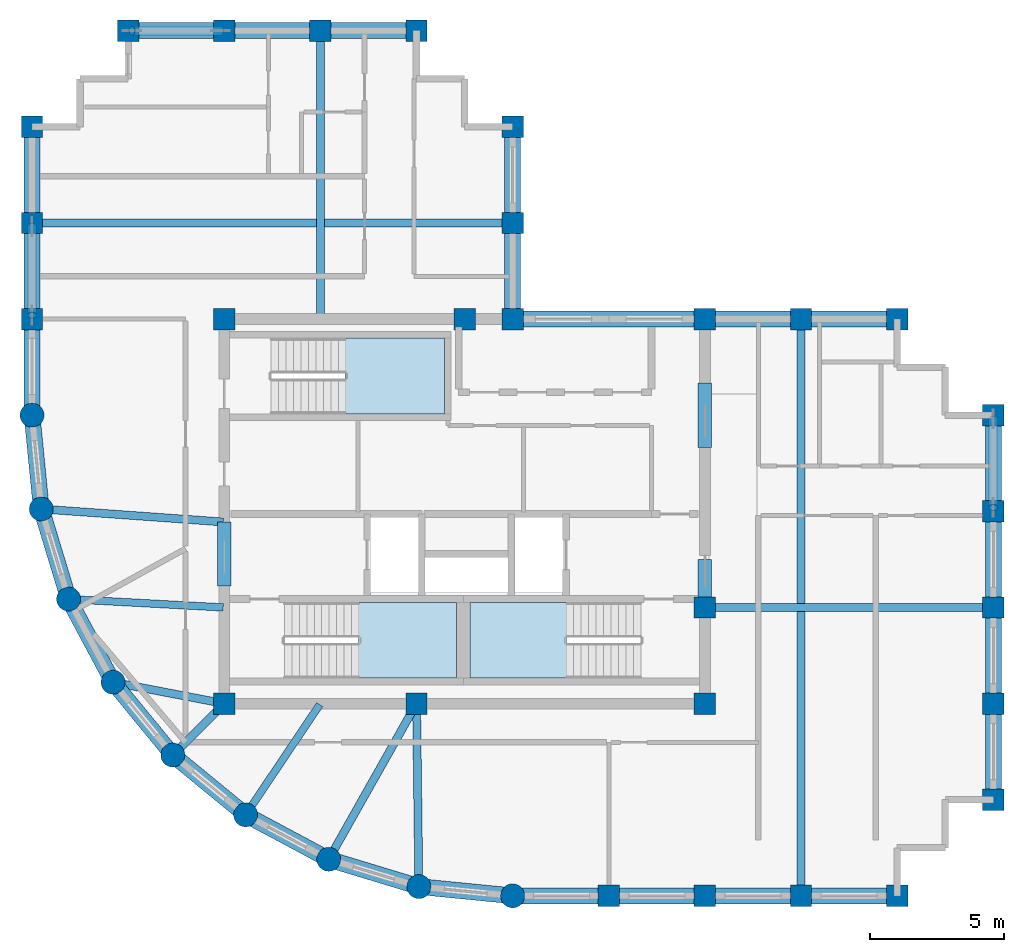
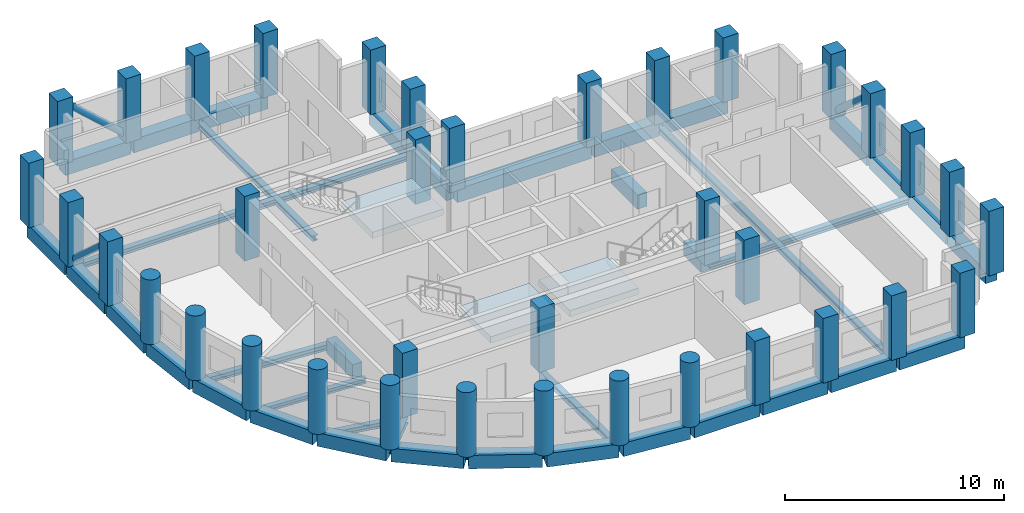
# One storey, part 1 of 6: 41 beams, 37 columns, 3 members, 3 slabs, 3 elements without a shape of their own.
"""IFC4 building model written with IfcOpenShell, lengths in metres."""

from ifc_helpers import new_model, si_unit, direction, frame, origin, origin_2d, place, context, subcontext, project, spatial, polyline, rectangle, circle, hollow_circle, i_section, outline, extrude, material, layer, layer_set, material_profile, profile_set, type_object, element, aggregate, save


model = new_model("IFC4")

# Units and contexts
model_context = context("Model", 3, precision=1e-05, world=origin(), true_north=direction((0.0, 1.0)))
body_context = subcontext(model_context, "Body", "Model", "MODEL_VIEW")
ifc_project = project(units=[si_unit("LENGTHUNIT", "METRE"), si_unit("AREAUNIT", "SQUARE_METRE"), si_unit("VOLUMEUNIT", "CUBIC_METRE"), si_unit("PLANEANGLEUNIT", "RADIAN"), si_unit("MASSUNIT", "GRAM", prefix="KILO")], contexts=[model_context])

# Site, building, storey
site_placement = place(None, origin())
site = spatial("IfcSite", under=ifc_project, at=site_placement, CompositionType="ELEMENT")
building_placement = place(site_placement, origin())
building = spatial("IfcBuilding", under=site, at=building_placement, Name="Solnavia Interchange Tower", CompositionType="ELEMENT")
storey_placement = place(building_placement, frame((0.0, 0.0, 277.39990234375)))
storey = spatial("IfcBuildingStorey", under=building, at=storey_placement, Name="L70", CompositionType="ELEMENT", Elevation=277.39990234375)

# Columns
ifc_material_1 = material(Name="Concrete C50/60", Category="concrete")
ifc_material_profile_1 = material_profile(ifc_material_1, rectangle(XDim=0.800048828125, YDim=0.800048828125, at=origin_2d()), Name="RC 800x800")
ifc_profile_set_1 = profile_set([ifc_material_profile_1], Name="Concrete C50/60")
column_type_1 = type_object("IfcColumnType", Name="Col-RC-800x800", PredefinedType="COLUMN", material=ifc_profile_set_1)
for number, where, z_axis, x_axis, name in (
    (1, (7.199951171875, 25.199951171875, 0.0), (0.0, 0.0, 1.0), (0.0, 1.0, 0.0), "COL-L70-02 Tower perim y column"),
    (2, (7.199951171875, 28.800048828125, 0.0), (0.0, 0.0, 1.0), (0.0, 1.0, 0.0), "COL-L70-03 Tower perim y column"),
    (3, (7.199951171875, 32.39990234375, 0.0), (0.0, 0.0, 1.0), (0.0, 1.0, 0.0), "COL-L70-04 Tower corner column"),
    (4, (10.800048828125, 36.0, 0.0), (0.0, 0.0, 1.0), (1.0, 0.0, 0.0), "COL-L70-08 Tower corner column"),
    (5, (14.39990234375, 10.800048828125, 0.0), (0.0, 0.0, 1.0), (1.0, 0.0, 0.0), "COL-L70-10 Tower interior column"),
    (6, (14.39990234375, 25.199951171875, 0.0), (0.0, 0.0, 1.0), (1.0, 0.0, 0.0), "COL-L70-11 Tower interior column"),
    (7, (14.39990234375, 36.0, 0.0), (0.0, 0.0, 1.0), (1.0, 0.0, 0.0), "COL-L70-12 Tower perim x column"),
    (8, (18.0, 36.0, 0.0), (0.0, 0.0, 1.0), (1.0, 0.0, 0.0), "COL-L70-14 Tower perim x column"),
    (9, (21.60009765625, 10.800048828125, 0.0), (0.0, 0.0, 1.0), (1.0, 0.0, 0.0), "COL-L70-16 Tower interior column"),
    (10, (21.60009765625, 36.0, 0.0), (0.0, 0.0, 1.0), (1.0, 0.0, 0.0), "COL-L70-17 Tower corner column"),
    (11, (23.39990234375, 25.199951171875, 0.0), (0.0, 0.0, 1.0), (1.0, 0.0, 0.0), "COL-L70-19 Tower interior column"),
    (12, (25.199951171875, 25.199951171875, 0.0), (0.0, 0.0, 1.0), (1.0, 0.0, 0.0), "COL-L70-21 Tower interior column"),
    (13, (25.199951171875, 28.800048828125, 0.0), (0.0, 0.0, 1.0), (0.0, 1.0, 0.0), "COL-L70-22 Tower perim y column"),
    (14, (25.199951171875, 32.39990234375, 0.0), (0.0, 0.0, 1.0), (0.0, 1.0, 0.0), "COL-L70-23 Tower corner column"),
    (15, (28.800048828125, 3.60009765625, 0.0), (0.0, 0.0, 1.0), (1.0, 0.0, 0.0), "COL-L70-24 Tower perim x column"),
    (16, (32.39990234375, 3.60009765625, 0.0), (0.0, 0.0, 1.0), (1.0, 0.0, 0.0), "COL-L70-25 Tower perim x column"),
    (17, (32.39990234375, 10.800048828125, 0.0), (0.0, 0.0, 1.0), (1.0, 0.0, 0.0), "COL-L70-26 Tower interior column"),
    (18, (32.39990234375, 14.39990234375, 0.0), (0.0, 0.0, 1.0), (1.0, 0.0, 0.0), "COL-L70-27 Tower interior column"),
    (19, (32.39990234375, 25.199951171875, 0.0), (0.0, 0.0, 1.0), (1.0, 0.0, 0.0), "COL-L70-28 Tower interior column"),
    (20, (36.0, 3.60009765625, 0.0), (0.0, 0.0, 1.0), (1.0, 0.0, 0.0), "COL-L70-29 Tower perim x column"),
    (21, (36.0, 25.199951171875, 0.0), (0.0, 0.0, 1.0), (1.0, 0.0, 0.0), "COL-L70-30 Tower perim x column"),
    (22, (39.60009765625, 3.60009765625, 0.0), (0.0, 0.0, 1.0), (1.0, 0.0, 0.0), "COL-L70-31 Tower corner column"),
    (23, (39.60009765625, 25.199951171875, 0.0), (0.0, 0.0, 1.0), (1.0, 0.0, 0.0), "COL-L70-32 Tower corner column"),
    (24, (43.199951171875, 7.199951171875, 0.0), (0.0, 0.0, 1.0), (1.0, 0.0, 0.0), "COL-L70-33 Tower corner column"),
    (25, (43.199951171875, 10.800048828125, 0.0), (0.0, 0.0, 1.0), (0.0, 1.0, 0.0), "COL-L70-34 Tower perim y column"),
    (26, (43.199951171875, 14.39990234375, 0.0), (0.0, 0.0, 1.0), (0.0, 1.0, 0.0), "COL-L70-35 Tower perim y column"),
    (27, (43.199951171875, 18.0, 0.0), (0.0, 0.0, 1.0), (0.0, 1.0, 0.0), "COL-L70-36 Tower perim y column"),
    (28, (43.199951171875, 21.60009765625, 0.0), (0.0, 0.0, 1.0), (0.0, 1.0, 0.0), "COL-L70-37 Tower corner column"),
):
    element("IfcColumn", number, at=place(storey_placement, frame(where, z_axis=z_axis, x_axis=x_axis)), inside=storey, type_object=column_type_1, Name=name, PredefinedType="COLUMN", context=body_context, shape_type="SweptSolid", body=[
        extrude(rectangle(XDim=0.800048828125, YDim=0.800048828125, at=origin_2d()), origin(), (0.0, 0.0, 1.0), 3.60009765625),
    ])
ifc_material_profile_2 = material_profile(ifc_material_1, circle(Radius=0.449951171875, at=origin_2d()), Name="RC D900")
ifc_profile_set_2 = profile_set([ifc_material_profile_2], Name="Concrete C50/60")
column_type_2 = type_object("IfcColumnType", Name="Col-RC-D900", PredefinedType="COLUMN", material=ifc_profile_set_2)
for number, where, z_axis, x_axis, name in (
    (29, (7.199951171875, 21.60009765625, 0.0), (0.0, 0.0, 1.0), (1.0, 0.0, 0.0), "COL-L70-01 Tower drum column"),
    (30, (7.5458984375, 18.087890625, 0.0), (0.0, 0.0, 1.0), (1.0, 0.0, 0.0), "COL-L70-05 Tower drum column"),
    (31, (8.570068359375, 14.7119140625, 0.0), (0.0, 0.0, 1.0), (1.0, 0.0, 0.0), "COL-L70-06 Tower drum column"),
    (32, (10.23388671875, 11.60009765625, 0.0), (0.0, 0.0, 1.0), (1.0, 0.0, 0.0), "COL-L70-07 Tower drum column"),
    (33, (12.471923828125, 8.8720703125, 0.0), (0.0, 0.0, 1.0), (1.0, 0.0, 0.0), "COL-L70-09 Tower drum column"),
    (34, (15.199951171875, 6.634033203125, 0.0), (0.0, 0.0, 1.0), (1.0, 0.0, 0.0), "COL-L70-13 Tower drum column"),
    (35, (18.31201171875, 4.969970703125, 0.0), (0.0, 0.0, 1.0), (1.0, 0.0, 0.0), "COL-L70-15 Tower drum column"),
    (36, (21.68798828125, 3.946044921875, 0.0), (0.0, 0.0, 1.0), (1.0, 0.0, 0.0), "COL-L70-18 Tower drum column"),
    (37, (25.199951171875, 3.60009765625, 0.0), (0.0, 0.0, 1.0), (1.0, 0.0, 0.0), "COL-L70-20 Tower drum column"),
):
    element("IfcColumn", number, at=place(storey_placement, frame(where, z_axis=z_axis, x_axis=x_axis)), inside=storey, type_object=column_type_2, Name=name, PredefinedType="COLUMN", context=body_context, shape_type="SweptSolid", body=[
        extrude(circle(Radius=0.449951171875, at=origin_2d()), origin(), (0.0, 0.0, 1.0), 3.60009765625),
    ])

# Beams
ifc_material_profile_3 = material_profile(ifc_material_1, rectangle(XDim=0.5, YDim=0.800048828125, at=origin_2d()), Name="RC 500x800")
ifc_profile_set_3 = profile_set([ifc_material_profile_3], Name="Concrete C50/60")
beam_type_1 = type_object("IfcBeamType", Name="Beam-Coupling-RC500x800", PredefinedType="LINTEL", material=ifc_profile_set_3)
beam_1_placement = place(storey_placement, frame((14.39990234375, 15.199951171875, -0.39990234375), z_axis=(0.0, 1.0, 0.0), x_axis=(-1.0, 0.0, 0.0)))
element("IfcBeam", 38, at=beam_1_placement, inside=storey, type_object=beam_type_1, Name="CPB-L70-W1 Core coupling lintel beam", PredefinedType="LINTEL", context=body_context, shape_type="SweptSolid", body=[
    extrude(rectangle(XDim=0.5, YDim=0.800048828125, at=origin_2d()), origin(), (0.0, 0.0, 1.0), 2.400146484375),
])
beam_2_placement = place(storey_placement, frame((32.39990234375, 14.60009765625, -0.39990234375), z_axis=(0.0, 1.0, 0.0), x_axis=(-1.0, 0.0, 0.0)))
element("IfcBeam", 39, at=beam_2_placement, inside=storey, type_object=beam_type_1, Name="CPB-L70-E1 Core coupling lintel beam", PredefinedType="LINTEL", context=body_context, shape_type="SweptSolid", body=[
    extrude(rectangle(XDim=0.5, YDim=0.800048828125, at=origin_2d()), origin(), (0.0, 0.0, 1.0), 1.599853515625),
])
beam_3_placement = place(storey_placement, frame((32.39990234375, 20.39990234375, -0.39990234375), z_axis=(0.0, 1.0, 0.0), x_axis=(-1.0, 0.0, 0.0)))
element("IfcBeam", 40, at=beam_3_placement, inside=storey, type_object=beam_type_1, Name="CPB-L70-E2 Core coupling lintel beam", PredefinedType="LINTEL", context=body_context, shape_type="SweptSolid", body=[
    extrude(rectangle(XDim=0.5, YDim=0.800048828125, at=origin_2d()), origin(), (0.0, 0.0, 1.0), 2.400146484375),
])
ifc_material_2 = material(Name="Steel S460", Category="steel")
ifc_material_profile_4 = material_profile(ifc_material_2, i_section(OverallWidth=0.300048828125, OverallDepth=0.300048828125, WebThickness=0.010986328125, FlangeThickness=0.01904296875, FilletRadius=0.027099609375, at=origin_2d()), Name="HEB 300")
ifc_profile_set_4 = profile_set([ifc_material_profile_4], Name="Steel S460")
beam_type_2 = type_object("IfcBeamType", Name="Beam-Girder-HEB300", PredefinedType="BEAM", material=ifc_profile_set_4)
beam_4_placement = place(storey_placement, frame((32.47998046875, 14.39990234375, -0.39990234375), z_axis=(1.0, 0.0, 0.0), x_axis=(0.0, 1.0, 0.0)))
element("IfcBeam", 41, at=beam_4_placement, inside=storey, type_object=beam_type_2, Name="GRD-L70-ES01 East wing spine girder", PredefinedType="BEAM", context=body_context, shape_type="SweptSolid", body=[
    extrude(i_section(OverallWidth=0.300048828125, OverallDepth=0.300048828125, WebThickness=0.010986328125, FlangeThickness=0.01904296875, FilletRadius=0.027099609375, at=origin_2d()), origin(), (0.0, 0.0, 1.0), 10.64013671875),
])
beam_5_placement = place(storey_placement, frame((18.0, 25.280029296875, -0.39990234375), z_axis=(0.0, 1.0, 0.0), x_axis=(-1.0, 0.0, 0.0)))
element("IfcBeam", 42, at=beam_5_placement, inside=storey, type_object=beam_type_2, Name="GRD-L70-NS03 North wing spine girder", PredefinedType="BEAM", context=body_context, shape_type="SweptSolid", body=[
    extrude(i_section(OverallWidth=0.300048828125, OverallDepth=0.300048828125, WebThickness=0.010986328125, FlangeThickness=0.01904296875, FilletRadius=0.027099609375, at=origin_2d()), origin(), (0.0, 0.0, 1.0), 10.639892578125),
])
beam_6_placement = place(storey_placement, frame((7.280029296875, 28.800048828125, -0.39990234375), z_axis=(1.0, 0.0, 0.0), x_axis=(0.0, 1.0, 0.0)))
element("IfcBeam", 43, at=beam_6_placement, inside=storey, type_object=beam_type_2, Name="GRD-L70-NW04 North wing primary floor girder", PredefinedType="BEAM", context=body_context, shape_type="SweptSolid", body=[
    extrude(i_section(OverallWidth=0.300048828125, OverallDepth=0.300048828125, WebThickness=0.010986328125, FlangeThickness=0.01904296875, FilletRadius=0.027099609375, at=origin_2d()), origin(), (0.0, 0.0, 1.0), 17.840087890625),
])
beam_7_placement = place(storey_placement, frame((10.3125, 11.5849609375, -0.39990234375), z_axis=(0.982057527796, -0.188581579428, 0.0), x_axis=(0.188581579428, 0.982057527796, 0.0)))
element("IfcBeam", 44, at=beam_7_placement, inside=storey, type_object=beam_type_2, Name="GRD-L70-DR07 Drum radial floor girder", PredefinedType="BEAM", context=body_context, shape_type="SweptSolid", body=[
    extrude(i_section(OverallWidth=0.300048828125, OverallDepth=0.300048828125, WebThickness=0.010986328125, FlangeThickness=0.01904296875, FilletRadius=0.027099609375, at=origin_2d()), origin(), (0.0, 0.0, 1.0), 4.1220703125),
])
beam_8_placement = place(storey_placement, frame((18.351318359375, 5.039794921875, -0.39990234375), z_axis=(0.491243158486, 0.871022479182, 0.0), x_axis=(-0.871022479182, 0.491243158486, 0.0)))
element("IfcBeam", 45, at=beam_8_placement, inside=storey, type_object=beam_type_2, Name="GRD-L70-DR10 Drum radial floor girder", PredefinedType="BEAM", context=body_context, shape_type="SweptSolid", body=[
    extrude(i_section(OverallWidth=0.300048828125, OverallDepth=0.300048828125, WebThickness=0.010986328125, FlangeThickness=0.01904296875, FilletRadius=0.027099609375, at=origin_2d()), origin(), (0.0, 0.0, 1.0), 6.5732421875),
])
ifc_material_3 = material(Name="Steel S355", Category="steel")
ifc_material_profile_5 = material_profile(ifc_material_3, i_section(OverallWidth=0.280029296875, OverallDepth=0.27001953125, WebThickness=0.008056640625, FlangeThickness=0.012939453125, FilletRadius=0.02392578125, at=origin_2d()), Name="HEA 280")
ifc_profile_set_5 = profile_set([ifc_material_profile_5], Name="Steel S355")
beam_type_3 = type_object("IfcBeamType", Name="Beam-Primary-HEA280", PredefinedType="BEAM", material=ifc_profile_set_5)
beam_9_placement = place(storey_placement, frame((8.64990234375, 14.707763671875, -0.385009765625), z_axis=(0.998570371303, -0.053452909696, 0.0), x_axis=(0.053452909696, 0.998570371303, 0.0)))
element("IfcBeam", 46, at=beam_9_placement, inside=storey, type_object=beam_type_3, Name="GRD-L70-DR06 Drum radial floor girder", PredefinedType="BEAM", context=body_context, shape_type="SweptSolid", body=[
    extrude(i_section(OverallWidth=0.280029296875, OverallDepth=0.27001953125, WebThickness=0.008056640625, FlangeThickness=0.012939453125, FilletRadius=0.02392578125, at=origin_2d()), origin(), (0.0, 0.0, 1.0), 5.71826171875),
])
beam_10_placement = place(storey_placement, frame((15.24462890625, 6.700439453125, -0.385009765625), z_axis=(0.557835474219, 0.829951555033, 0.0), x_axis=(-0.829951555033, 0.557835474219, 0.0)))
element("IfcBeam", 47, at=beam_10_placement, inside=storey, type_object=beam_type_3, Name="GRD-L70-DR09 Drum radial floor girder", PredefinedType="BEAM", context=body_context, shape_type="SweptSolid", body=[
    extrude(i_section(OverallWidth=0.280029296875, OverallDepth=0.27001953125, WebThickness=0.008056640625, FlangeThickness=0.012939453125, FilletRadius=0.02392578125, at=origin_2d()), origin(), (0.0, 0.0, 1.0), 4.899658203125),
])
ifc_material_profile_6 = material_profile(ifc_material_3, i_section(OverallWidth=0.300048828125, OverallDepth=0.31005859375, WebThickness=0.009033203125, FlangeThickness=0.015380859375, FilletRadius=0.027099609375, at=origin_2d()), Name="HEA 320")
ifc_profile_set_6 = profile_set([ifc_material_profile_6], Name="Steel S355")
beam_type_4 = type_object("IfcBeamType", Name="Beam-Primary-HEA320", PredefinedType="BEAM", material=ifc_profile_set_6)
beam_11_placement = place(storey_placement, frame((36.0, 3.679931640625, -0.40478515625), z_axis=(0.0, 1.0, 0.0), x_axis=(-1.0, 0.0, 0.0)))
element("IfcBeam", 48, at=beam_11_placement, inside=storey, type_object=beam_type_4, Name="GRD-L70-EW02 East wing primary floor girder", PredefinedType="BEAM", context=body_context, shape_type="SweptSolid", body=[
    extrude(i_section(OverallWidth=0.300048828125, OverallDepth=0.31005859375, WebThickness=0.009033203125, FlangeThickness=0.015380859375, FilletRadius=0.027099609375, at=origin_2d()), origin(), (0.0, 0.0, 1.0), 21.440185546875),
])
beam_12_placement = place(storey_placement, frame((7.625732421875, 18.082275390625, -0.40478515625), z_axis=(0.99747482749, -0.071020902015, 0.0), x_axis=(0.071020902015, 0.99747482749, 0.0)))
element("IfcBeam", 49, at=beam_12_placement, inside=storey, type_object=beam_type_4, Name="GRD-L70-DR05 Drum radial floor girder", PredefinedType="BEAM", context=body_context, shape_type="SweptSolid", body=[
    extrude(i_section(OverallWidth=0.300048828125, OverallDepth=0.31005859375, WebThickness=0.009033203125, FlangeThickness=0.015380859375, FilletRadius=0.027099609375, at=origin_2d()), origin(), (0.0, 0.0, 1.0), 6.75146484375),
])
beam_13_placement = place(storey_placement, frame((12.528564453125, 8.9287109375, -0.40478515625), z_axis=(0.707106781187, 0.707106781187, 0.0), x_axis=(-0.707106781187, 0.707106781187, 0.0)))
element("IfcBeam", 50, at=beam_13_placement, inside=storey, type_object=beam_type_4, Name="GRD-L70-DR08 Drum radial floor girder", PredefinedType="BEAM", context=body_context, shape_type="SweptSolid", body=[
    extrude(i_section(OverallWidth=0.300048828125, OverallDepth=0.31005859375, WebThickness=0.009033203125, FlangeThickness=0.015380859375, FilletRadius=0.027099609375, at=origin_2d()), origin(), (0.0, 0.0, 1.0), 2.6064453125),
])
beam_14_placement = place(storey_placement, frame((21.68701171875, 4.02587890625, -0.40478515625), z_axis=(-0.01283293513, 0.999917654498, 0.0), x_axis=(-0.999917654498, -0.01283293513, 0.0)))
element("IfcBeam", 51, at=beam_14_placement, inside=storey, type_object=beam_type_4, Name="GRD-L70-DR11 Drum radial floor girder", PredefinedType="BEAM", context=body_context, shape_type="SweptSolid", body=[
    extrude(i_section(OverallWidth=0.300048828125, OverallDepth=0.31005859375, WebThickness=0.009033203125, FlangeThickness=0.015380859375, FilletRadius=0.027099609375, at=origin_2d()), origin(), (0.0, 0.0, 1.0), 6.734619140625),
])
ifc_material_profile_7 = material_profile(ifc_material_1, rectangle(XDim=0.60009765625, YDim=0.75, at=origin_2d()), Name="RC 600x750")
ifc_profile_set_7 = profile_set([ifc_material_profile_7], Name="Concrete C50/60")
beam_type_5 = type_object("IfcBeamType", Name="Beam-Spandrel-RC600x750", PredefinedType="SPANDREL", material=ifc_profile_set_7)
beam_15_placement = place(storey_placement, frame((7.207763671875, 21.5205078125, -0.375), z_axis=(0.098040038117, -0.995182471171, 0.0), x_axis=(0.995182471171, 0.098040038117, 0.0)))
element("IfcBeam", 52, at=beam_15_placement, inside=storey, type_object=beam_type_5, Name="SPB-L70-01 Framed-tube perimeter spandrel beam", PredefinedType="SPANDREL", context=body_context, shape_type="SweptSolid", body=[
    extrude(rectangle(XDim=0.60009765625, YDim=0.75, at=origin_2d()), origin(), (0.0, 0.0, 1.0), 3.369140625),
])
beam_16_placement = place(storey_placement, frame((7.569091796875, 18.011474609375, -0.375), z_axis=(0.290319223646, -0.956929855518, 0.0), x_axis=(0.956929855518, 0.290319223646, 0.0)))
element("IfcBeam", 53, at=beam_16_placement, inside=storey, type_object=beam_type_5, Name="SPB-L70-02 Framed-tube perimeter spandrel beam", PredefinedType="SPANDREL", context=body_context, shape_type="SweptSolid", body=[
    extrude(rectangle(XDim=0.60009765625, YDim=0.75, at=origin_2d()), origin(), (0.0, 0.0, 1.0), 3.367919921875),
])
beam_17_placement = place(storey_placement, frame((8.607666015625, 14.6416015625, -0.375), z_axis=(0.471509422952, -0.881861023102, 0.0), x_axis=(0.881861023102, 0.471509422952, 0.0)))
element("IfcBeam", 54, at=beam_17_placement, inside=storey, type_object=beam_type_5, Name="SPB-L70-03 Framed-tube perimeter spandrel beam", PredefinedType="SPANDREL", context=body_context, shape_type="SweptSolid", body=[
    extrude(rectangle(XDim=0.60009765625, YDim=0.75, at=origin_2d()), origin(), (0.0, 0.0, 1.0), 3.369140625),
])
for number, where, z_axis, x_axis, name in (
    (55, (10.28466796875, 11.5380859375, -0.375), (0.634298841675, -0.773087950656, 0.0), (0.773087950656, 0.634298841675, 0.0), "SPB-L70-04 Framed-tube perimeter spandrel beam"),
    (56, (12.53369140625, 8.8212890625, -0.375), (0.773152644452, -0.634219984214, 0.0), (0.634219984214, 0.773152644452, 0.0), "SPB-L70-05 Framed-tube perimeter spandrel beam"),
):
    element("IfcBeam", number, at=place(storey_placement, frame(where, z_axis=z_axis, x_axis=x_axis)), inside=storey, type_object=beam_type_5, Name=name, PredefinedType="SPANDREL", context=body_context, shape_type="SweptSolid", body=[
        extrude(rectangle(XDim=0.60009765625, YDim=0.75, at=origin_2d()), origin(), (0.0, 0.0, 1.0), 3.36865234375),
    ])
beam_18_placement = place(storey_placement, frame((15.2705078125, 6.59619140625, -0.375), z_axis=(0.881875044348, -0.47148319817, 0.0), x_axis=(0.47148319817, 0.881875044348, 0.0)))
element("IfcBeam", 57, at=beam_18_placement, inside=storey, type_object=beam_type_5, Name="SPB-L70-06 Framed-tube perimeter spandrel beam", PredefinedType="SPANDREL", context=body_context, shape_type="SweptSolid", body=[
    extrude(rectangle(XDim=0.60009765625, YDim=0.75, at=origin_2d()), origin(), (0.0, 0.0, 1.0), 3.368896484375),
])
beam_19_placement = place(storey_placement, frame((18.388671875, 4.94677734375, -0.375), z_axis=(0.956943884494, -0.290272978297, 0.0), x_axis=(0.290272978297, 0.956943884494, 0.0)))
element("IfcBeam", 58, at=beam_19_placement, inside=storey, type_object=beam_type_5, Name="SPB-L70-07 Framed-tube perimeter spandrel beam", PredefinedType="SPANDREL", context=body_context, shape_type="SweptSolid", body=[
    extrude(rectangle(XDim=0.60009765625, YDim=0.75, at=origin_2d()), origin(), (0.0, 0.0, 1.0), 3.36767578125),
])
beam_20_placement = place(storey_placement, frame((21.767578125, 3.938232421875, -0.375), z_axis=(0.995181774609, -0.098047108501, 0.0), x_axis=(0.098047108501, 0.995181774609, 0.0)))
element("IfcBeam", 59, at=beam_20_placement, inside=storey, type_object=beam_type_5, Name="SPB-L70-08 Framed-tube perimeter spandrel beam", PredefinedType="SPANDREL", context=body_context, shape_type="SweptSolid", body=[
    extrude(rectangle(XDim=0.60009765625, YDim=0.75, at=origin_2d()), origin(), (0.0, 0.0, 1.0), 3.368896484375),
])
beam_21_placement = place(storey_placement, frame((25.280029296875, 3.60009765625, -0.375), z_axis=(1.0, 0.0, 0.0), x_axis=(0.0, 1.0, 0.0)))
element("IfcBeam", 60, at=beam_21_placement, inside=storey, type_object=beam_type_5, Name="SPB-L70-09 Framed-tube perimeter spandrel beam", PredefinedType="SPANDREL", context=body_context, shape_type="SweptSolid", body=[
    extrude(rectangle(XDim=0.60009765625, YDim=0.75, at=origin_2d()), origin(), (0.0, 0.0, 1.0), 3.43994140625),
])
beam_22_placement = place(storey_placement, frame((28.8798828125, 3.60009765625, -0.375), z_axis=(1.0, 0.0, 0.0), x_axis=(0.0, 1.0, 0.0)))
element("IfcBeam", 61, at=beam_22_placement, inside=storey, type_object=beam_type_5, Name="SPB-L70-10 Framed-tube perimeter spandrel beam", PredefinedType="SPANDREL", context=body_context, shape_type="SweptSolid", body=[
    extrude(rectangle(XDim=0.60009765625, YDim=0.75, at=origin_2d()), origin(), (0.0, 0.0, 1.0), 3.440185546875),
])
for number, where, z_axis, x_axis, name in (
    (62, (32.47998046875, 3.60009765625, -0.375), (1.0, 0.0, 0.0), (0.0, 1.0, 0.0), "SPB-L70-11 Framed-tube perimeter spandrel beam"),
    (63, (36.080078125, 3.60009765625, -0.375), (1.0, 0.0, 0.0), (0.0, 1.0, 0.0), "SPB-L70-12 Framed-tube perimeter spandrel beam"),
    (64, (43.199951171875, 7.280029296875, -0.375), (0.0, 1.0, 0.0), (-1.0, 0.0, 0.0), "SPB-L70-13 Framed-tube perimeter spandrel beam"),
):
    element("IfcBeam", number, at=place(storey_placement, frame(where, z_axis=z_axis, x_axis=x_axis)), inside=storey, type_object=beam_type_5, Name=name, PredefinedType="SPANDREL", context=body_context, shape_type="SweptSolid", body=[
        extrude(rectangle(XDim=0.60009765625, YDim=0.75, at=origin_2d()), origin(), (0.0, 0.0, 1.0), 3.43994140625),
    ])
beam_23_placement = place(storey_placement, frame((43.199951171875, 10.8798828125, -0.375), z_axis=(0.0, 1.0, 0.0), x_axis=(-1.0, 0.0, 0.0)))
element("IfcBeam", 65, at=beam_23_placement, inside=storey, type_object=beam_type_5, Name="SPB-L70-14 Framed-tube perimeter spandrel beam", PredefinedType="SPANDREL", context=body_context, shape_type="SweptSolid", body=[
    extrude(rectangle(XDim=0.60009765625, YDim=0.75, at=origin_2d()), origin(), (0.0, 0.0, 1.0), 3.440185546875),
])
for number, where, z_axis, x_axis, name in (
    (66, (43.199951171875, 14.47998046875, -0.375), (0.0, 1.0, 0.0), (-1.0, 0.0, 0.0), "SPB-L70-15 Framed-tube perimeter spandrel beam"),
    (67, (43.199951171875, 18.080078125, -0.375), (0.0, 1.0, 0.0), (-1.0, 0.0, 0.0), "SPB-L70-16 Framed-tube perimeter spandrel beam"),
    (68, (39.52001953125, 25.199951171875, -0.375), (-1.0, 0.0, 0.0), (0.0, -1.0, 0.0), "SPB-L70-17 Framed-tube perimeter spandrel beam"),
    (69, (35.919921875, 25.199951171875, -0.375), (-1.0, 0.0, 0.0), (0.0, -1.0, 0.0), "SPB-L70-18 Framed-tube perimeter spandrel beam"),
):
    element("IfcBeam", number, at=place(storey_placement, frame(where, z_axis=z_axis, x_axis=x_axis)), inside=storey, type_object=beam_type_5, Name=name, PredefinedType="SPANDREL", context=body_context, shape_type="SweptSolid", body=[
        extrude(rectangle(XDim=0.60009765625, YDim=0.75, at=origin_2d()), origin(), (0.0, 0.0, 1.0), 3.43994140625),
    ])
beam_24_placement = place(storey_placement, frame((32.320068359375, 25.199951171875, -0.375), z_axis=(-1.0, 0.0, 0.0), x_axis=(0.0, -1.0, 0.0)))
element("IfcBeam", 70, at=beam_24_placement, inside=storey, type_object=beam_type_5, Name="SPB-L70-19 Framed-tube perimeter spandrel beam", PredefinedType="SPANDREL", context=body_context, shape_type="SweptSolid", body=[
    extrude(rectangle(XDim=0.60009765625, YDim=0.75, at=origin_2d()), origin(), (0.0, 0.0, 1.0), 7.0400390625),
])
beam_25_placement = place(storey_placement, frame((25.199951171875, 25.280029296875, -0.375), z_axis=(0.0, 1.0, 0.0), x_axis=(-1.0, 0.0, 0.0)))
element("IfcBeam", 71, at=beam_25_placement, inside=storey, type_object=beam_type_5, Name="SPB-L70-20 Framed-tube perimeter spandrel beam", PredefinedType="SPANDREL", context=body_context, shape_type="SweptSolid", body=[
    extrude(rectangle(XDim=0.60009765625, YDim=0.75, at=origin_2d()), origin(), (0.0, 0.0, 1.0), 3.43994140625),
])
beam_26_placement = place(storey_placement, frame((25.199951171875, 28.8798828125, -0.375), z_axis=(0.0, 1.0, 0.0), x_axis=(-1.0, 0.0, 0.0)))
element("IfcBeam", 72, at=beam_26_placement, inside=storey, type_object=beam_type_5, Name="SPB-L70-21 Framed-tube perimeter spandrel beam", PredefinedType="SPANDREL", context=body_context, shape_type="SweptSolid", body=[
    extrude(rectangle(XDim=0.60009765625, YDim=0.75, at=origin_2d()), origin(), (0.0, 0.0, 1.0), 3.440185546875),
])
for number, where, z_axis, x_axis, name in (
    (73, (21.52001953125, 36.0, -0.375), (-1.0, 0.0, 0.0), (0.0, -1.0, 0.0), "SPB-L70-22 Framed-tube perimeter spandrel beam"),
    (74, (17.919921875, 36.0, -0.375), (-1.0, 0.0, 0.0), (0.0, -1.0, 0.0), "SPB-L70-23 Framed-tube perimeter spandrel beam"),
):
    element("IfcBeam", number, at=place(storey_placement, frame(where, z_axis=z_axis, x_axis=x_axis)), inside=storey, type_object=beam_type_5, Name=name, PredefinedType="SPANDREL", context=body_context, shape_type="SweptSolid", body=[
        extrude(rectangle(XDim=0.60009765625, YDim=0.75, at=origin_2d()), origin(), (0.0, 0.0, 1.0), 3.43994140625),
    ])
for number, where, z_axis, x_axis, name in (
    (75, (14.320068359375, 36.0, -0.375), (-1.0, 0.0, 0.0), (0.0, -1.0, 0.0), "SPB-L70-24 Framed-tube perimeter spandrel beam"),
    (76, (7.199951171875, 32.320068359375, -0.375), (0.0, -1.0, 0.0), (1.0, 0.0, 0.0), "SPB-L70-25 Framed-tube perimeter spandrel beam"),
):
    element("IfcBeam", number, at=place(storey_placement, frame(where, z_axis=z_axis, x_axis=x_axis)), inside=storey, type_object=beam_type_5, Name=name, PredefinedType="SPANDREL", context=body_context, shape_type="SweptSolid", body=[
        extrude(rectangle(XDim=0.60009765625, YDim=0.75, at=origin_2d()), origin(), (0.0, 0.0, 1.0), 3.440185546875),
    ])
beam_27_placement = place(storey_placement, frame((7.199951171875, 28.719970703125, -0.375), z_axis=(0.0, -1.0, 0.0), x_axis=(1.0, 0.0, 0.0)))
element("IfcBeam", 77, at=beam_27_placement, inside=storey, type_object=beam_type_5, Name="SPB-L70-26 Framed-tube perimeter spandrel beam", PredefinedType="SPANDREL", context=body_context, shape_type="SweptSolid", body=[
    extrude(rectangle(XDim=0.60009765625, YDim=0.75, at=origin_2d()), origin(), (0.0, 0.0, 1.0), 3.43994140625),
])
beam_28_placement = place(storey_placement, frame((7.199951171875, 25.1201171875, -0.375), z_axis=(0.0, -1.0, 0.0), x_axis=(1.0, 0.0, 0.0)))
element("IfcBeam", 78, at=beam_28_placement, inside=storey, type_object=beam_type_5, Name="SPB-L70-27 Framed-tube perimeter spandrel beam", PredefinedType="SPANDREL", context=body_context, shape_type="SweptSolid", body=[
    extrude(rectangle(XDim=0.60009765625, YDim=0.75, at=origin_2d()), origin(), (0.0, 0.0, 1.0), 3.440185546875),
])

# Members
ifc_material_profile_8 = material_profile(ifc_material_2, hollow_circle(Radius=0.177734375, WallThickness=0.01611328125, at=origin_2d()), Name="CHS 355.6x16")
ifc_profile_set_8 = profile_set([ifc_material_profile_8], Name="Steel S460")
member_type = type_object("IfcMemberType", Name="Brace-Perim-CHS355", PredefinedType="BRACE", material=ifc_profile_set_8)
member_placement = place(storey_placement, frame((7.199951171875, 28.659912109375, 0.18017578125), z_axis=(0.0, -0.743054991638, 0.669230363479), x_axis=(1.0, 0.0, 0.0)))
element("IfcMember", 79, at=member_placement, inside=storey, type_object=member_type, Name="BRC-L70-01 Perimeter tube diagonal brace", PredefinedType="BRACE", context=body_context, shape_type="SweptSolid", body=[
    extrude(hollow_circle(Radius=0.177734375, WallThickness=0.01611328125, at=origin_2d()), origin(), (0.0, 0.0, 1.0), 4.4677734375),
])
for number, where, z_axis, x_axis, name in (
    (80, (43.199951171875, 21.4599609375, 0.18017578125), (0.0, -0.74307946371, 0.669203190827), (1.0, 0.0, 0.0), "BRC-L70-02 Perimeter tube diagonal brace"),
    (81, (14.260009765625, 36.0, 0.18017578125), (-0.74307946371, 0.0, 0.669203190827), (0.0, -1.0, 0.0), "BRC-L70-03 Perimeter tube diagonal brace"),
):
    element("IfcMember", number, at=place(storey_placement, frame(where, z_axis=z_axis, x_axis=x_axis)), inside=storey, type_object=member_type, Name=name, PredefinedType="BRACE", context=body_context, shape_type="SweptSolid", body=[
        extrude(hollow_circle(Radius=0.177734375, WallThickness=0.01611328125, at=origin_2d()), origin(), (0.0, 0.0, 1.0), 4.468017578125),
    ])

# Stair, slab
ifc_material_4 = material(Name="Concrete C40/50", Category="concrete")
stair_type = type_object("IfcStairType", Name="Stair-Dogleg-RC", PredefinedType="HALF_TURN_STAIR", material=ifc_material_4)
stair_1_placement = place(storey_placement, origin())
stair_1 = element("IfcStair", 82, at=stair_1_placement, inside=storey, type_object=stair_type, Name="L70 Core exit stair 1", PredefinedType="HALF_TURN_STAIR")
ifc_layer = layer(ifc_material_4, 0.35009765625)
ifc_layer_set = layer_set([ifc_layer], Name="Concrete C40/50")
slab_type = type_object("IfcSlabType", Name="Slab-StairLanding-350", PredefinedType="LANDING", material=ifc_layer_set)
slab_1_placement = place(storey_placement, frame((0.0, 0.0, 1.4501953125)))
slab_1 = element("IfcSlab", 83, at=slab_1_placement, type_object=slab_type, Name="ST-1 landing 1", PredefinedType="LANDING", context=body_context, shape_type="SweptSolid", body=[
    extrude(outline(polyline([(19.427978515625, 11.75), (23.10009765625, 11.75), (23.10009765625, 14.590087890625), (19.427978515625, 14.590087890625), (19.427978515625, 11.75)])), origin(), (0.0, 0.0, 1.0), 0.349853515625),
])
aggregate(stair_1, [slab_1])

stair_2_placement = place(storey_placement, origin())
stair_2 = element("IfcStair", 84, at=stair_2_placement, inside=storey, type_object=stair_type, Name="L70 Core exit stair 2", PredefinedType="HALF_TURN_STAIR")
slab_2_placement = place(storey_placement, frame((0.0, 0.0, 1.4501953125)))
slab_2 = element("IfcSlab", 85, at=slab_2_placement, type_object=slab_type, Name="ST-2 landing 1", PredefinedType="LANDING", context=body_context, shape_type="SweptSolid", body=[
    extrude(outline(polyline([(23.60009765625, 11.75), (27.221923828125, 11.75), (27.221923828125, 14.590087890625), (23.60009765625, 14.590087890625), (23.60009765625, 11.75)])), origin(), (0.0, 0.0, 1.0), 0.349853515625),
])
aggregate(stair_2, [slab_2])

stair_3_placement = place(storey_placement, origin())
stair_3 = element("IfcStair", 86, at=stair_3_placement, inside=storey, type_object=stair_type, Name="L70 Core exit stair 3", PredefinedType="HALF_TURN_STAIR")
slab_3_placement = place(storey_placement, frame((0.0, 0.0, 1.4501953125)))
slab_3 = element("IfcSlab", 87, at=slab_3_placement, type_object=slab_type, Name="ST-3 landing 1", PredefinedType="LANDING", context=body_context, shape_type="SweptSolid", body=[
    extrude(outline(polyline([(18.927978515625, 21.64990234375), (22.64990234375, 21.64990234375), (22.64990234375, 24.489990234375), (18.927978515625, 24.489990234375), (18.927978515625, 21.64990234375)])), origin(), (0.0, 0.0, 1.0), 0.349853515625),
])
aggregate(stair_3, [slab_3])

save(model, "model.ifc")
